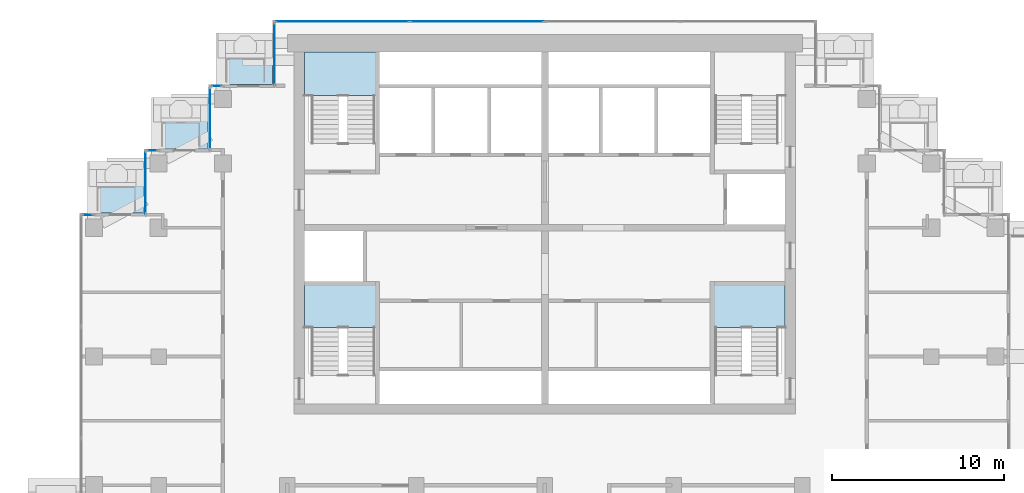
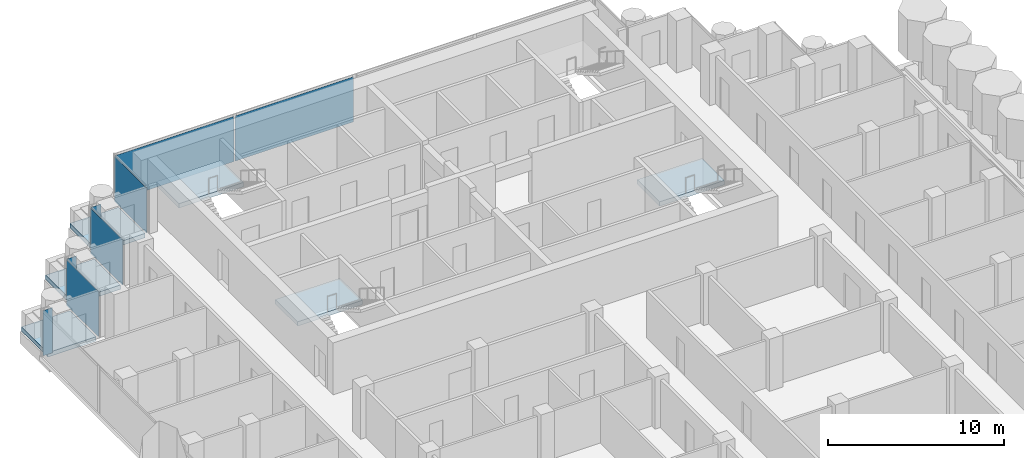
# One storey, part 9 of 19: 8 plates, 6 slabs, 10 elements without a shape of their own.
"""IFC4 building model written with IfcOpenShell, lengths in metres."""

from ifc_helpers import new_model, si_unit, direction, frame, origin, origin_2d, place, context, subcontext, project, spatial, polyline, rectangle, outline, extrude, material, layer, layer_set, type_object, element, aggregate, save


model = new_model("IFC4")

# Units and contexts
model_context = context("Model", 3, precision=1e-05, world=origin(), true_north=direction((0.0, 1.0)))
body_context = subcontext(model_context, "Body", "Model", "MODEL_VIEW")
ifc_project = project(units=[si_unit("LENGTHUNIT", "METRE"), si_unit("AREAUNIT", "SQUARE_METRE"), si_unit("VOLUMEUNIT", "CUBIC_METRE"), si_unit("PLANEANGLEUNIT", "RADIAN"), si_unit("MASSUNIT", "GRAM", prefix="KILO")], contexts=[model_context])

# Site, building, storey
site_placement = place(None, origin())
site = spatial("IfcSite", under=ifc_project, at=site_placement, CompositionType="ELEMENT")
building_placement = place(site_placement, origin())
building = spatial("IfcBuilding", under=site, at=building_placement, Name="Pilkhan Gate Tower", CompositionType="ELEMENT")
storey_placement = place(building_placement, frame((0.0, 0.0, 224.699951171875)))
storey = spatial("IfcBuildingStorey", under=building, at=storey_placement, Name="L58", CompositionType="ELEMENT", Elevation=224.699951171875)

# Slabs
ifc_material_1 = material(Name="Concrete C60/75", Category="concrete")
ifc_layer_1 = layer(ifc_material_1, 0.300048828125)
ifc_layer_set_1 = layer_set([ifc_layer_1], Name="Balcony tray slab TR300")
slab_type_1 = type_object("IfcSlabType", Name="Balcony tray slab TR300", PredefinedType="FLOOR", material=ifc_layer_set_1)
slab_1_placement = place(storey_placement, frame((0.0, 0.0, -0.300048828125)))
element("IfcSlab", 1, at=slab_1_placement, inside=storey, type_object=slab_type_1, Name="Balcony tray L58 N", PredefinedType="FLOOR", context=body_context, shape_type="SweptSolid", body=[
    extrude(outline(polyline([(59.14990234375, 90.85009765625), (59.14990234375, 93.85009765625), (55.949951171875, 93.85009765625), (55.949951171875, 90.85009765625), (59.14990234375, 90.85009765625)])), origin(), (0.0, 0.0, 1.0), 0.300048828125),
])
slab_2_placement = place(storey_placement, frame((0.0, 0.0, -0.300048828125)))
element("IfcSlab", 2, at=slab_2_placement, inside=storey, type_object=slab_type_1, Name="Balcony tray L58 N", PredefinedType="FLOOR", context=body_context, shape_type="SweptSolid", body=[
    extrude(outline(polyline([(55.3798828125, 87.1201171875), (55.3798828125, 90.10009765625), (52.199951171875, 90.10009765625), (52.199951171875, 87.1201171875), (55.3798828125, 87.1201171875)])), origin(), (0.0, 0.0, 1.0), 0.300048828125),
])
slab_3_placement = place(storey_placement, frame((0.0, 0.0, -0.300048828125)))
element("IfcSlab", 3, at=slab_3_placement, inside=storey, type_object=slab_type_1, Name="Balcony tray L58 N", PredefinedType="FLOOR", context=body_context, shape_type="SweptSolid", body=[
    extrude(outline(polyline([(51.6298828125, 83.3701171875), (51.6298828125, 86.35009765625), (48.449951171875, 86.35009765625), (48.449951171875, 83.3701171875), (51.6298828125, 83.3701171875)])), origin(), (0.0, 0.0, 1.0), 0.300048828125),
])

# Curtain wall, plates
ifc_material_2 = material(Name="Pale anodised aluminium, clear low-iron double glazing", Category="aluminium")
curtain_wall_type = type_object("IfcCurtainWallType", Name="Office unitised curtain wall CW-O2", PredefinedType="USERDEFINED", material=ifc_material_2)
curtain_wall_1_placement = place(storey_placement, origin())
curtain_wall_1 = element("IfcCurtainWall", 4, at=curtain_wall_1_placement, inside=storey, type_object=curtain_wall_type, Name="Office unitised curtain wall CW-O2 L58 N", ObjectType="UNITISED CURTAIN WALL", PredefinedType="USERDEFINED")
ifc_material_3 = material(Name="Clear low-iron double glazing", Category="glass")
ifc_layer_2 = layer(ifc_material_3, 0.031982421875)
ifc_layer_set_2 = layer_set([ifc_layer_2], Name="Glass panel CW-O2 32")
plate_type = type_object("IfcPlateType", Name="Glass panel CW-O2 32", PredefinedType="CURTAIN_PANEL", material=ifc_layer_set_2)
plate_1_placement = place(storey_placement, frame((63.203857421875, 94.5, 0.0), z_axis=(0.0, 0.0, 1.0), x_axis=(1.0, 0.0, 0.0)))
plate_1 = element("IfcPlate", 5, at=plate_1_placement, type_object=plate_type, Name="CW-O2 panel 1", PredefinedType="CURTAIN_PANEL", context=body_context, shape_type="SweptSolid", body=[
    extrude(rectangle(XDim=7.777587890625, YDim=0.031982421875, at=origin_2d()), origin(), (0.0, 0.0, 1.0), 3.135009765625),
])
plate_2_placement = place(storey_placement, frame((71.046142578125, 94.5, 0.0), z_axis=(0.0, 0.0, 1.0), x_axis=(1.0, 0.0, 0.0)))
plate_2 = element("IfcPlate", 6, at=plate_2_placement, type_object=plate_type, Name="CW-O2 panel 2", PredefinedType="CURTAIN_PANEL", context=body_context, shape_type="SweptSolid", body=[
    extrude(rectangle(XDim=7.777587890625, YDim=0.031982421875, at=origin_2d()), origin(), (0.0, 0.0, 1.0), 3.135009765625),
])
aggregate(curtain_wall_1, [plate_1, plate_2])

# Curtain wall, plate
curtain_wall_2_placement = place(storey_placement, origin())
curtain_wall_2 = element("IfcCurtainWall", 7, at=curtain_wall_2_placement, inside=storey, type_object=curtain_wall_type, Name="Office unitised curtain wall CW-O2 L58 W", ObjectType="UNITISED CURTAIN WALL", PredefinedType="USERDEFINED")
plate_3_placement = place(storey_placement, frame((59.25, 92.625, 0.0), z_axis=(0.0, 0.0, 1.0), x_axis=(0.0, 1.0, 0.0)))
plate_3 = element("IfcPlate", 8, at=plate_3_placement, type_object=plate_type, Name="CW-O2 panel 1", PredefinedType="CURTAIN_PANEL", context=body_context, shape_type="SweptSolid", body=[
    extrude(rectangle(XDim=3.6201171875, YDim=0.031982421875, at=origin_2d()), origin(), (0.0, 0.0, 1.0), 3.135009765625),
])
aggregate(curtain_wall_2, [plate_3])

curtain_wall_3_placement = place(storey_placement, origin())
curtain_wall_3 = element("IfcCurtainWall", 9, at=curtain_wall_3_placement, inside=storey, type_object=curtain_wall_type, Name="Office unitised curtain wall CW-O2 L58 N", ObjectType="UNITISED CURTAIN WALL", PredefinedType="USERDEFINED")
plate_4_placement = place(storey_placement, frame((55.875, 90.75, 0.0), z_axis=(0.0, 0.0, 1.0), x_axis=(1.0, 0.0, 0.0)))
plate_4 = element("IfcPlate", 10, at=plate_4_placement, type_object=plate_type, Name="CW-O2 panel 1", PredefinedType="CURTAIN_PANEL", context=body_context, shape_type="SweptSolid", body=[
    extrude(rectangle(XDim=0.6201171875, YDim=0.031982421875, at=origin_2d()), origin(), (0.0, 0.0, 1.0), 3.135009765625),
])
aggregate(curtain_wall_3, [plate_4])

curtain_wall_4_placement = place(storey_placement, origin())
curtain_wall_4 = element("IfcCurtainWall", 11, at=curtain_wall_4_placement, inside=storey, type_object=curtain_wall_type, Name="Office unitised curtain wall CW-O2 L58 W", ObjectType="UNITISED CURTAIN WALL", PredefinedType="USERDEFINED")
plate_5_placement = place(storey_placement, frame((55.5, 88.875, 0.0), z_axis=(0.0, 0.0, 1.0), x_axis=(0.0, 1.0, 0.0)))
plate_5 = element("IfcPlate", 12, at=plate_5_placement, type_object=plate_type, Name="CW-O2 panel 1", PredefinedType="CURTAIN_PANEL", context=body_context, shape_type="SweptSolid", body=[
    extrude(rectangle(XDim=3.6201171875, YDim=0.031982421875, at=origin_2d()), origin(), (0.0, 0.0, 1.0), 3.135009765625),
])
aggregate(curtain_wall_4, [plate_5])

curtain_wall_5_placement = place(storey_placement, origin())
curtain_wall_5 = element("IfcCurtainWall", 13, at=curtain_wall_5_placement, inside=storey, type_object=curtain_wall_type, Name="Office unitised curtain wall CW-O2 L58 N", ObjectType="UNITISED CURTAIN WALL", PredefinedType="USERDEFINED")
plate_6_placement = place(storey_placement, frame((52.125, 87.0, 0.0), z_axis=(0.0, 0.0, 1.0), x_axis=(1.0, 0.0, 0.0)))
plate_6 = element("IfcPlate", 14, at=plate_6_placement, type_object=plate_type, Name="CW-O2 panel 1", PredefinedType="CURTAIN_PANEL", context=body_context, shape_type="SweptSolid", body=[
    extrude(rectangle(XDim=0.6201171875, YDim=0.031982421875, at=origin_2d()), origin(), (0.0, 0.0, 1.0), 3.135009765625),
])
aggregate(curtain_wall_5, [plate_6])

curtain_wall_6_placement = place(storey_placement, origin())
curtain_wall_6 = element("IfcCurtainWall", 15, at=curtain_wall_6_placement, inside=storey, type_object=curtain_wall_type, Name="Office unitised curtain wall CW-O2 L58 W", ObjectType="UNITISED CURTAIN WALL", PredefinedType="USERDEFINED")
plate_7_placement = place(storey_placement, frame((51.75, 85.125, 0.0), z_axis=(0.0, 0.0, 1.0), x_axis=(0.0, 1.0, 0.0)))
plate_7 = element("IfcPlate", 16, at=plate_7_placement, type_object=plate_type, Name="CW-O2 panel 1", PredefinedType="CURTAIN_PANEL", context=body_context, shape_type="SweptSolid", body=[
    extrude(rectangle(XDim=3.6201171875, YDim=0.031982421875, at=origin_2d()), origin(), (0.0, 0.0, 1.0), 3.135009765625),
])
aggregate(curtain_wall_6, [plate_7])

curtain_wall_7_placement = place(storey_placement, origin())
curtain_wall_7 = element("IfcCurtainWall", 17, at=curtain_wall_7_placement, inside=storey, type_object=curtain_wall_type, Name="Office unitised curtain wall CW-O2 L58 N", ObjectType="UNITISED CURTAIN WALL", PredefinedType="USERDEFINED")
plate_8_placement = place(storey_placement, frame((48.375, 83.25, 0.0), z_axis=(0.0, 0.0, 1.0), x_axis=(1.0, 0.0, 0.0)))
plate_8 = element("IfcPlate", 18, at=plate_8_placement, type_object=plate_type, Name="CW-O2 panel 1", PredefinedType="CURTAIN_PANEL", context=body_context, shape_type="SweptSolid", body=[
    extrude(rectangle(XDim=0.6201171875, YDim=0.031982421875, at=origin_2d()), origin(), (0.0, 0.0, 1.0), 3.135009765625),
])
aggregate(curtain_wall_7, [plate_8])

# Stair, slab
ifc_material_4 = material(Name="Concrete C40/50 precast", Category="concrete")
stair_type_1 = type_object("IfcStairType", Name="Stair ST1 164x280", PredefinedType="HALF_TURN_STAIR", material=ifc_material_4)
stair_1_placement = place(storey_placement, origin())
stair_1 = element("IfcStair", 19, at=stair_1_placement, inside=storey, type_object=stair_type_1, Name="Stair ST1 L58", PredefinedType="HALF_TURN_STAIR")
ifc_material_5 = material(Name="Concrete C40/50", Category="concrete")
ifc_layer_3 = layer(ifc_material_5, 0.199951171875)
ifc_layer_set_3 = layer_set([ifc_layer_3], Name="Stair landing SL200")
slab_type_2 = type_object("IfcSlabType", Name="Stair landing SL200", PredefinedType="LANDING", material=ifc_layer_set_3)
slab_4_placement = place(storey_placement, frame((0.0, 0.0, 1.5)))
slab_4 = element("IfcSlab", 20, at=slab_4_placement, type_object=slab_type_2, Name="ST1 landing 1", PredefinedType="LANDING", context=body_context, shape_type="SweptSolid", body=[
    extrude(outline(polyline([(89.0, 76.699951171875), (89.0, 79.25), (84.75, 79.25), (84.75, 76.699951171875), (89.0, 76.699951171875)])), origin(), (0.0, 0.0, 1.0), 0.300048828125),
])
aggregate(stair_1, [slab_4])

stair_type_2 = type_object("IfcStairType", Name="Stair ST2 164x280", PredefinedType="HALF_TURN_STAIR", material=ifc_material_4)
stair_2_placement = place(storey_placement, origin())
stair_2 = element("IfcStair", 21, at=stair_2_placement, inside=storey, type_object=stair_type_2, Name="Stair ST2 L58", PredefinedType="HALF_TURN_STAIR")
slab_5_placement = place(storey_placement, frame((0.0, 0.0, 1.5)))
slab_5 = element("IfcSlab", 22, at=slab_5_placement, type_object=slab_type_2, Name="ST2 landing 1", PredefinedType="LANDING", context=body_context, shape_type="SweptSolid", body=[
    extrude(outline(polyline([(65.25, 76.699951171875), (65.25, 79.25), (61.0, 79.25), (61.0, 76.699951171875), (65.25, 76.699951171875)])), origin(), (0.0, 0.0, 1.0), 0.300048828125),
])
aggregate(stair_2, [slab_5])

stair_type_3 = type_object("IfcStairType", Name="Stair ST3 164x280", PredefinedType="HALF_TURN_STAIR", material=ifc_material_4)
stair_3_placement = place(storey_placement, origin())
stair_3 = element("IfcStair", 23, at=stair_3_placement, inside=storey, type_object=stair_type_3, Name="Stair ST3 L58", PredefinedType="HALF_TURN_STAIR")
slab_6_placement = place(storey_placement, frame((0.0, 0.0, 1.5)))
slab_6 = element("IfcSlab", 24, at=slab_6_placement, type_object=slab_type_2, Name="ST3 landing 1", PredefinedType="LANDING", context=body_context, shape_type="SweptSolid", body=[
    extrude(outline(polyline([(65.25, 90.199951171875), (65.25, 92.75), (61.0, 92.75), (61.0, 90.199951171875), (65.25, 90.199951171875)])), origin(), (0.0, 0.0, 1.0), 0.300048828125),
])
aggregate(stair_3, [slab_6])

save(model, "model.ifc")
